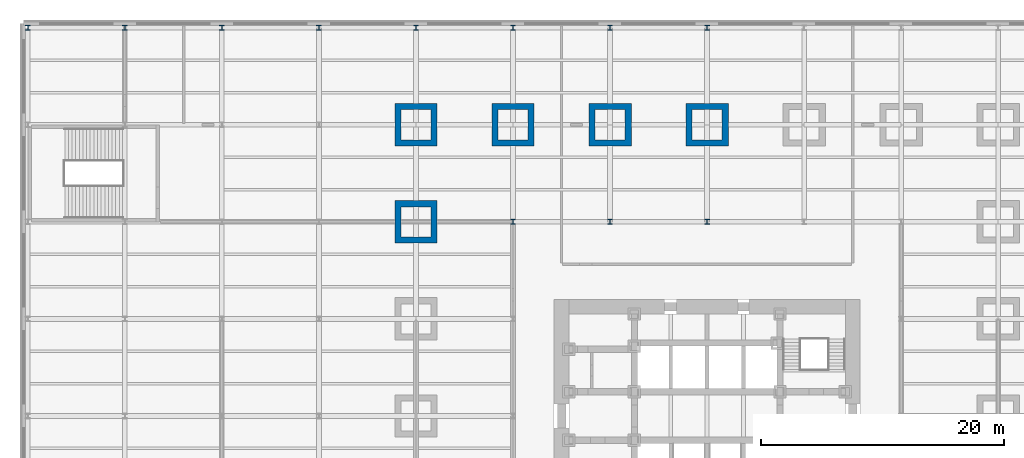
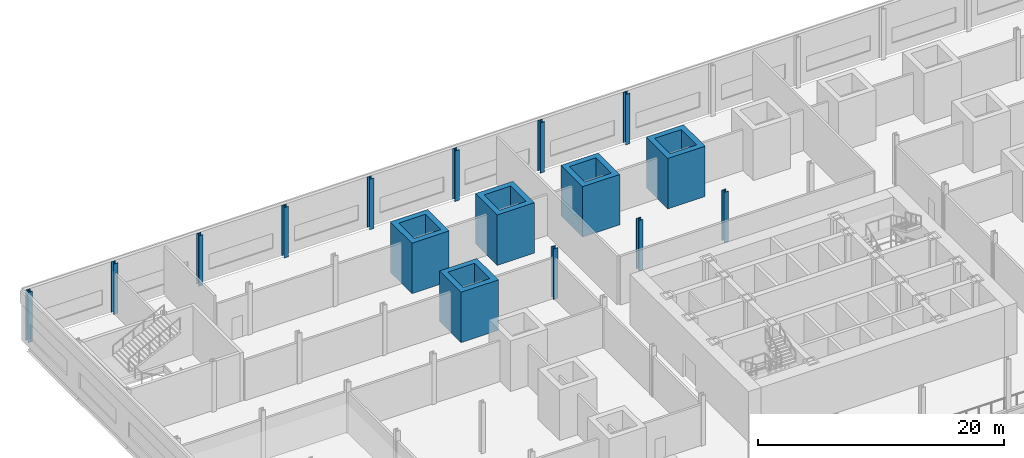
# One storey, part 5 of 27: 16 columns.
"""IFC4 building model written with IfcOpenShell, lengths in metres."""

import ifcopenshell
import ifcopenshell.guid

model = None  # the IFC model being written
_history = None  # IfcOwnerHistory: only IFC2X3 demands one
_inside = {}  # id of a spatial element -> (the spatial element, [elements in it])
_under = {}  # id of a project, library or spatial element -> (it, [spatial elements below it])
_declared = {}  # id of a project -> (the project, [libraries it declares])
_typed = {}  # id of a type object -> (the type object, [elements of that type])
_made_of = {}  # id of a material, layer set ... -> (it, [elements and type objects made of it])


def new_model(schema):
    """Start an empty IFC model of exactly this schema.

    Asked for "IFC4X3", IfcOpenShell would pick the latest addendum, in which some entities
    have other attributes; the version numbers below select the first issue.
    IFC2X3 requires an IfcOwnerHistory on every rooted entity: one is made here for all.
    """
    global model, _history
    if schema == "IFC4X3":
        model = ifcopenshell.file(schema_version=(4, 3, 0, 0))
    else:
        model = ifcopenshell.file(schema=schema)
    _inside.clear()
    _under.clear()
    _declared.clear()
    _typed.clear()
    _made_of.clear()
    _history = None
    if model.schema == "IFC2X3":
        org = make("IfcOrganization", Name="unknown")
        user = make(
            "IfcPersonAndOrganization",
            ThePerson=make("IfcPerson", FamilyName="unknown"),
            TheOrganization=org,
        )
        app = make(
            "IfcApplication",
            ApplicationDeveloper=org,
            Version="unknown",
            ApplicationFullName="unknown",
            ApplicationIdentifier="unknown",
        )
        _history = make(
            "IfcOwnerHistory",
            OwningUser=user,
            OwningApplication=app,
            ChangeAction="ADDED",
            CreationDate=0,
        )
    return model


def make(cls, **values):
    """One entity of the class cls with the attributes given. An attribute that is None is left unset."""
    return model.create_entity(
        cls, **{name: value for name, value in values.items() if value is not None}
    )


def rooted(cls, **values):
    """An entity with a GlobalId (a new one), such as an element, a storey or a relation."""
    return make(cls, GlobalId=ifcopenshell.guid.new(), OwnerHistory=_history, **values)


def si_unit(unit_type, name, prefix=None):
    """IfcSIUnit, for example si_unit("LENGTHUNIT", "METRE", prefix="MILLI")."""
    return make("IfcSIUnit", UnitType=unit_type, Prefix=prefix, Name=name)


def assignment(units):
    """IfcUnitAssignment: the units of a project."""
    return None if units is None else make("IfcUnitAssignment", Units=units)


def point(xyz):
    """IfcCartesianPoint."""
    return None if xyz is None else make("IfcCartesianPoint", Coordinates=xyz)


def direction(xyz):
    """IfcDirection."""
    return None if xyz is None else make("IfcDirection", DirectionRatios=xyz)


def frame(location, z_axis=None, x_axis=None):
    """IfcAxis2Placement3D, a coordinate frame: its origin and axes. An axis left out is left unset."""
    return make(
        "IfcAxis2Placement3D",
        Location=point(location),
        Axis=direction(z_axis),
        RefDirection=direction(x_axis),
    )


def frame_2d(location, x_axis=None):
    """IfcAxis2Placement2D, a coordinate frame in the plane: its origin and x axis."""
    return make(
        "IfcAxis2Placement2D", Location=point(location), RefDirection=direction(x_axis)
    )


def origin():
    """The frame at (0, 0, 0) with its axes left unset."""
    return frame((0.0, 0.0, 0.0))


def origin_2d():
    """The frame at (0, 0) in the plane with its x axis left unset."""
    return frame_2d((0.0, 0.0))


def place(relative_to, where):
    """IfcLocalPlacement: puts the frame where relative to a parent placement (None: the world)."""
    return make(
        "IfcLocalPlacement", PlacementRelTo=relative_to, RelativePlacement=where
    )


def context(
    kind, dimensions, precision=None, world=None, true_north=None, identifier=None
):
    """IfcGeometricRepresentationContext, for example the 3D "Model" context."""
    return make(
        "IfcGeometricRepresentationContext",
        ContextIdentifier=identifier,
        ContextType=kind,
        CoordinateSpaceDimension=dimensions,
        Precision=precision,
        WorldCoordinateSystem=world,
        TrueNorth=true_north,
    )


def subcontext(parent, identifier, kind, view, scale=None):
    """IfcGeometricRepresentationSubContext, for example "Body" below "Model"."""
    return make(
        "IfcGeometricRepresentationSubContext",
        ContextIdentifier=identifier,
        ContextType=kind,
        ParentContext=parent,
        TargetScale=scale,
        TargetView=view,
    )


def project(units=None, contexts=None):
    """IfcProject with its units and contexts."""
    return rooted(
        "IfcProject",
        Name="project",
        RepresentationContexts=contexts,
        UnitsInContext=assignment(units),
    )


def spatial(cls, under=None, at=None, **own):
    """A site, building, storey or space (cls), placed at a placement, below another one or the project."""
    s = rooted(cls, ObjectPlacement=at, **own)
    if under is not None:
        _under.setdefault(under.id(), (under, []))[1].append(s)
    return s


def profile(cls, at=None, kind="AREA", **sizes):
    """A parametric profile (cls). Its sizes go by their IFC names, for example OverallWidth=200.0."""
    return make(cls, ProfileType=kind, Position=at, **sizes)


def hollow_rectangle(**sizes):
    """IfcRectangleHollowProfileDef."""
    return profile("IfcRectangleHollowProfileDef", **sizes)


def i_section(**sizes):
    """IfcIShapeProfileDef."""
    return profile("IfcIShapeProfileDef", **sizes)


def extrude(swept, where, along, depth):
    """IfcExtrudedAreaSolid: the profile swept, set in the frame where, extruded along a direction by depth."""
    return make(
        "IfcExtrudedAreaSolid",
        SweptArea=swept,
        Position=where,
        ExtrudedDirection=direction(along),
        Depth=depth,
    )


def shape(context_of_items, identifier, shape_type, items):
    """IfcShapeRepresentation: the items that make up one representation, for example the "Body"."""
    return make(
        "IfcShapeRepresentation",
        ContextOfItems=context_of_items,
        RepresentationIdentifier=identifier,
        RepresentationType=shape_type,
        Items=items,
    )


def material(Name=None, Category=None):
    """IfcMaterial."""
    return make("IfcMaterial", Name=Name, Category=Category)


def material_profile(
    of_material, cross_section, Name=None, Category=None, Priority=None
):
    """IfcMaterialProfile: a cross section and its material."""
    return make(
        "IfcMaterialProfile",
        Name=Name,
        Material=of_material,
        Profile=cross_section,
        Priority=Priority,
        Category=Category,
    )


def profile_set(profiles, Name=None, composite=None):
    """IfcMaterialProfileSet."""
    return make(
        "IfcMaterialProfileSet",
        Name=Name,
        MaterialProfiles=profiles,
        CompositeProfile=composite,
    )


def made_of(thing, what):
    """Note that an element or type object is made of a material, layer set ...; save() writes the relation."""
    if what is not None:
        _made_of.setdefault(what.id(), (what, []))[1].append(thing)
    return thing


def type_object(cls, material=None, **own):
    """A type object (cls), such as IfcWallType, which elements share."""
    return made_of(rooted(cls, **own), material)


def element(
    cls,
    number,
    at=None,
    inside=None,
    cuts=None,
    type_object=None,
    material=None,
    context=None,
    identifier="Body",
    shape_type=None,
    held_by="IfcProductDefinitionShape",
    body=None,
    shapes=None,
    **own,
):
    """One element of the class cls, such as IfcWall. Its Tag is "e" and its number.

    at: its placement. inside: the storey or other place that contains it. cuts: it is an
    opening in that element (IfcRelVoidsElement). A single representation is given by context,
    identifier, shape_type and body (its items); several are given by shapes. held_by: the class
    of the entity that holds the representations. save() writes the other relations.
    """
    e = rooted(cls, Tag="e%d" % number, ObjectPlacement=at, **own)
    if body is not None:
        shapes = [shape(context, identifier, shape_type, body)]
    if shapes is not None:
        e.Representation = make(held_by, Representations=shapes)
    if inside is not None:
        _inside.setdefault(inside.id(), (inside, []))[1].append(e)
    if cuts is not None:
        rooted(
            "IfcRelVoidsElement", RelatingBuildingElement=cuts, RelatedOpeningElement=e
        )
    if type_object is not None:
        _typed.setdefault(type_object.id(), (type_object, []))[1].append(e)
    return made_of(e, material)


def aggregate(whole, parts):
    """IfcRelAggregates: a whole, such as a stair, and the parts it consists of."""
    return rooted("IfcRelAggregates", RelatingObject=whole, RelatedObjects=parts)


def save(model, path):
    """Write the relations noted so far, then the file.

    IfcRelAggregates (storeys below a building ...), IfcRelContainedInSpatialStructure (elements
    in a storey), IfcRelDefinesByType, IfcRelAssociatesMaterial and IfcRelDeclares: one each for
    every whole, place, type object, material and project.
    """
    for whole, parts in _under.values():
        aggregate(whole, parts)
    for where, things in _inside.values():
        rooted(
            "IfcRelContainedInSpatialStructure",
            RelatedElements=things,
            RelatingStructure=where,
        )
    for kind, things in _typed.values():
        rooted("IfcRelDefinesByType", RelatedObjects=things, RelatingType=kind)
    for what, things in _made_of.values():
        rooted("IfcRelAssociatesMaterial", RelatedObjects=things, RelatingMaterial=what)
    for by, libraries in _declared.values():
        rooted("IfcRelDeclares", RelatingContext=by, RelatedDefinitions=libraries)
    model.write(path)


model = new_model("IFC4")

# Units and contexts
model_context = context("Model", 3, precision=1e-05, world=origin(), true_north=direction((0.0, 1.0)))
body_context = subcontext(model_context, "Body", "Model", "MODEL_VIEW")
ifc_project = project(units=[si_unit("LENGTHUNIT", "METRE"), si_unit("AREAUNIT", "SQUARE_METRE"), si_unit("VOLUMEUNIT", "CUBIC_METRE"), si_unit("PLANEANGLEUNIT", "RADIAN"), si_unit("MASSUNIT", "GRAM", prefix="KILO")], contexts=[model_context])

# Site, building, storey
site_placement = place(None, origin())
site = spatial("IfcSite", under=ifc_project, at=site_placement, CompositionType="ELEMENT")
building_placement = place(site_placement, origin())
building = spatial("IfcBuilding", under=site, at=building_placement, Name="Daluyong Arena Tower", CompositionType="ELEMENT")
storey_placement = place(building_placement, frame((0.0, 0.0, 14.89990234375)))
storey = spatial("IfcBuildingStorey", under=building, at=storey_placement, Name="L03", CompositionType="ELEMENT", Elevation=14.89990234375)

# Columns
ifc_material_1 = material(Name="Steel ASTM A992 Grade 50", Category="steel")
ifc_material_profile_1 = material_profile(ifc_material_1, i_section(OverallWidth=0.406494140625, OverallDepth=0.41650390625, WebThickness=0.030029296875, FlangeThickness=0.048095703125, at=origin_2d()))
ifc_profile_set_1 = profile_set([ifc_material_profile_1], Name="Steel ASTM A992 Grade 50")
column_type_1 = type_object("IfcColumnType", Name="Podium column W14X257", PredefinedType="COLUMN", material=ifc_profile_set_1)
for number, where, z_axis, x_axis, name in (
    (1, (0.0, 112.0, 0.0), (0.0, 0.0, 1.0), (1.0, 0.0, 0.0), "podium column PC2"),
    (2, (8.0, 112.0, 0.0), (0.0, 0.0, 1.0), (1.0, 0.0, 0.0), "podium column PC2"),
    (3, (16.0, 112.0, 0.0), (0.0, 0.0, 1.0), (1.0, 0.0, 0.0), "podium column PC2"),
    (4, (24.0, 112.0, 0.0), (0.0, 0.0, 1.0), (1.0, 0.0, 0.0), "podium column PC2"),
    (5, (32.0, 112.0, 0.0), (0.0, 0.0, 1.0), (1.0, 0.0, 0.0), "podium column PC2"),
    (6, (40.0, 96.0, 0.0), (0.0, 0.0, 1.0), (1.0, 0.0, 0.0), "podium column PC2"),
    (7, (40.0, 112.0, 0.0), (0.0, 0.0, 1.0), (1.0, 0.0, 0.0), "podium column PC2"),
    (8, (48.0, 96.0, 0.0), (0.0, 0.0, 1.0), (1.0, 0.0, 0.0), "podium column PC2"),
    (9, (48.0, 112.0, 0.0), (0.0, 0.0, 1.0), (1.0, 0.0, 0.0), "podium column PC2"),
    (10, (56.0, 96.0, 0.0), (0.0, 0.0, 1.0), (1.0, 0.0, 0.0), "podium column PC2"),
    (11, (56.0, 112.0, 0.0), (0.0, 0.0, 1.0), (1.0, 0.0, 0.0), "podium column PC2"),
):
    element("IfcColumn", number, at=place(storey_placement, frame(where, z_axis=z_axis, x_axis=x_axis)), inside=storey, type_object=column_type_1, Name=name, PredefinedType="COLUMN", context=body_context, shape_type="SweptSolid", body=[
        extrude(i_section(OverallWidth=0.406494140625, OverallDepth=0.41650390625, WebThickness=0.030029296875, FlangeThickness=0.048095703125, at=origin_2d()), origin(), (0.0, 0.0, 1.0), 5.0),
    ])
ifc_material_2 = material(Name="Steel ASTM A36", Category="steel")
ifc_material_profile_2 = material_profile(ifc_material_2, hollow_rectangle(XDim=3.5, YDim=3.5, WallThickness=0.5, at=origin_2d()))
ifc_profile_set_2 = profile_set([ifc_material_profile_2], Name="Steel ASTM A36")
column_type_2 = type_object("IfcColumnType", Name="Podium megacolumn BX3500X500", PredefinedType="COLUMN", material=ifc_profile_set_2)
for number, where, z_axis, x_axis, name in (
    (12, (32.0, 96.0, 0.0), (0.0, 0.0, 1.0), (1.0, 0.0, 0.0), "podium megacolumn MC1"),
    (13, (32.0, 104.0, 0.0), (0.0, 0.0, 1.0), (1.0, 0.0, 0.0), "podium megacolumn MC1"),
    (14, (40.0, 104.0, 0.0), (0.0, 0.0, 1.0), (1.0, 0.0, 0.0), "podium megacolumn MC1"),
    (15, (48.0, 104.0, 0.0), (0.0, 0.0, 1.0), (1.0, 0.0, 0.0), "podium megacolumn MC1"),
    (16, (56.0, 104.0, 0.0), (0.0, 0.0, 1.0), (1.0, 0.0, 0.0), "podium megacolumn MC1"),
):
    element("IfcColumn", number, at=place(storey_placement, frame(where, z_axis=z_axis, x_axis=x_axis)), inside=storey, type_object=column_type_2, Name=name, PredefinedType="COLUMN", context=body_context, shape_type="SweptSolid", body=[
        extrude(hollow_rectangle(XDim=3.5, YDim=3.5, WallThickness=0.5, at=origin_2d()), origin(), (0.0, 0.0, 1.0), 5.0),
    ])

save(model, "model.ifc")
